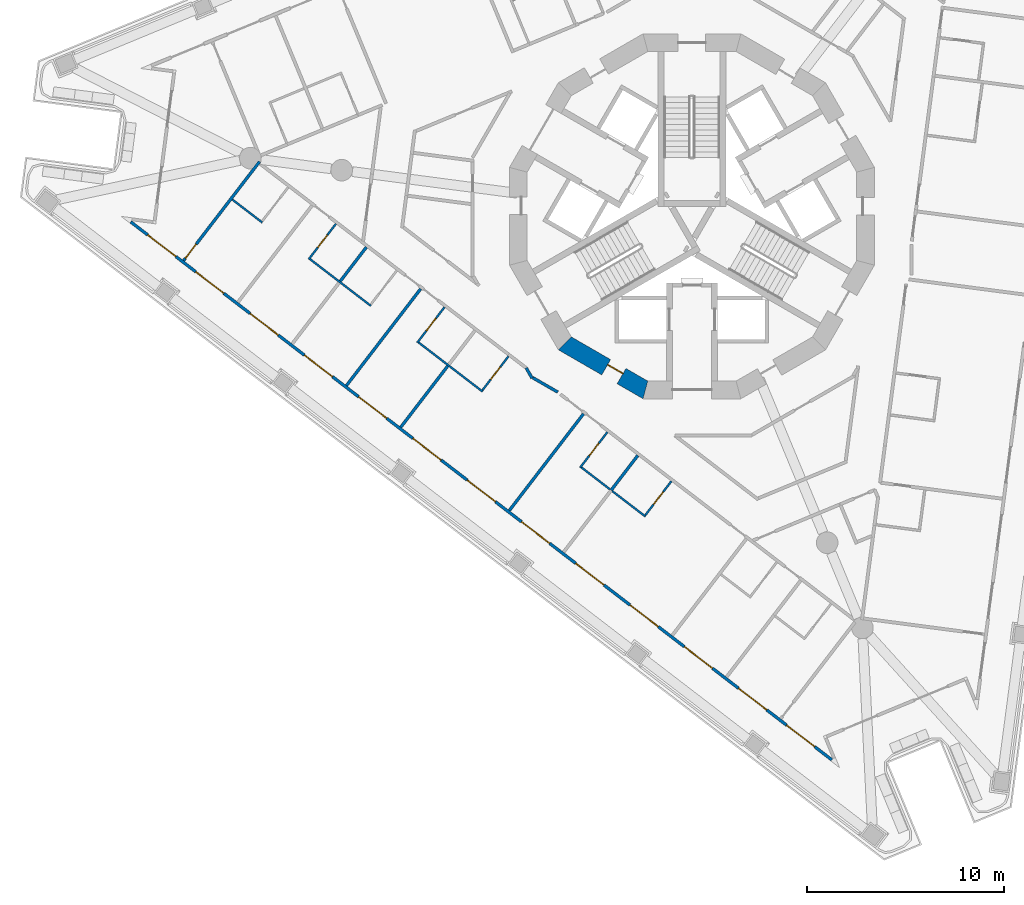
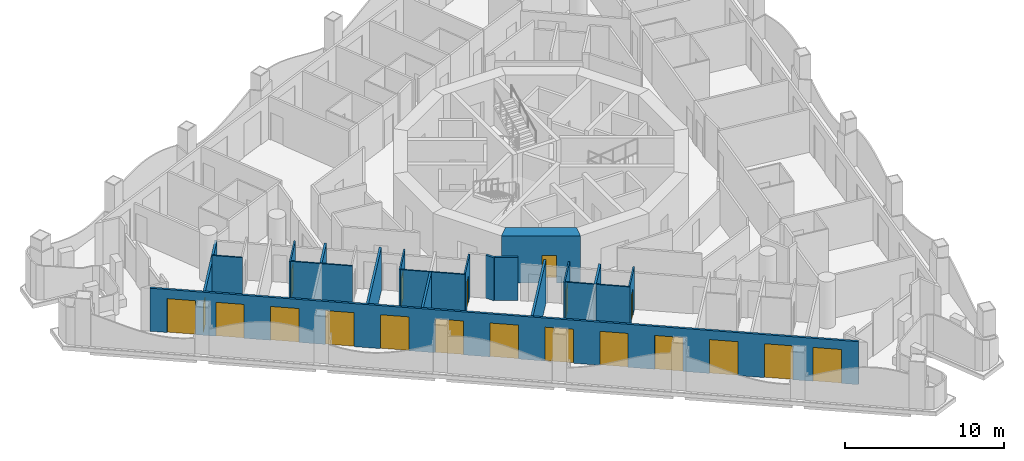
# One storey, part 2 of 17: 20 doors, 20 walls, 20 openings.
"""IFC4 building model written with IfcOpenShell, lengths in metres."""

from ifc_helpers import new_model, si_unit, direction, frame, frame_2d, origin, place, context, subcontext, project, spatial, polyline, rectangle, outline, extrude, material, layer, layer_set, type_object, element, fill, save


model = new_model("IFC4")

# Units and contexts
model_context = context("Model", 3, precision=1e-05, world=origin(), true_north=direction((0.0, 1.0)))
body_context = subcontext(model_context, "Body", "Model", "MODEL_VIEW")
ifc_project = project(units=[si_unit("LENGTHUNIT", "METRE"), si_unit("AREAUNIT", "SQUARE_METRE"), si_unit("VOLUMEUNIT", "CUBIC_METRE"), si_unit("PLANEANGLEUNIT", "RADIAN"), si_unit("MASSUNIT", "GRAM", prefix="KILO")], contexts=[model_context])

# Site, building, storey
site_placement = place(None, origin())
site = spatial("IfcSite", under=ifc_project, at=site_placement, CompositionType="ELEMENT")
building_placement = place(site_placement, origin())
building = spatial("IfcBuilding", under=site, at=building_placement, Name="Trine Commons Tower", CompositionType="ELEMENT")
storey_placement = place(building_placement, frame((0.0, 0.0, 135.0)))
storey = spatial("IfcBuildingStorey", under=building, at=storey_placement, Name="L34", CompositionType="ELEMENT", Elevation=135.0)

# Wall, openings, doors
ifc_material_1 = material(Name="Aluminium-framed insulated wall panel", Category="aluminium")
ifc_layer_1 = layer(ifc_material_1, 0.14990234375)
ifc_layer_set_1 = layer_set([ifc_layer_1], Name="Aluminium-framed insulated wall panel")
wall_type_1 = type_object("IfcWallType", Name="Glazed frame wall 150, EI 60", PredefinedType="SOLIDWALL", material=ifc_layer_set_1)
wall_1_placement = place(storey_placement, frame((87.22509765625, 34.786376953125, 0.0), z_axis=(0.0, 0.0, 1.0), x_axis=(-0.793353605974, 0.608761082764, 0.0)))
wall_1 = element("IfcWall", 1, at=wall_1_placement, inside=storey, type_object=wall_type_1, Name="Glazed frame wall F3", PredefinedType="SOLIDWALL", context=body_context, shape_type="SweptSolid", body=[
    extrude(outline(polyline([(0.1494140625, 0.074951171875), (0.1494140625, -0.074951171875), (45.056884765625, -0.074951171875), (45.056884765625, 0.074951171875), (0.1494140625, 0.074951171875)])), origin(), (0.0, 0.0, 1.0), 3.300048828125),
])
opening_1_placement = place(wall_1_placement, frame((1.23876953125, 0.0, 0.0)))
opening_1 = element("IfcOpeningElement", 2, at=opening_1_placement, cuts=wall_1, Name="Opening BD-4F3-01", PredefinedType="OPENING", context=body_context, shape_type="SweptSolid", body=[
    extrude(rectangle(XDim=1.800048828125, YDim=2.60009765625, at=frame_2d((0.89990234375, 1.300048828125))), frame((0.0, 0.0849609375, 0.0), z_axis=(0.0, -1.0, 0.0), x_axis=(1.0, 0.0, 0.0)), (0.0, 0.0, 1.0), 0.169921875),
])
opening_2_placement = place(wall_1_placement, frame((4.316162109375, 0.0, 0.0)))
opening_2 = element("IfcOpeningElement", 3, at=opening_2_placement, cuts=wall_1, Name="Opening BD-4F3-02", PredefinedType="OPENING", context=body_context, shape_type="SweptSolid", body=[
    extrude(rectangle(XDim=1.800048828125, YDim=2.60009765625, at=frame_2d((0.89990234375, 1.300048828125))), frame((0.0, 0.0849609375, 0.0), z_axis=(0.0, -1.0, 0.0), x_axis=(1.0, 0.0, 0.0)), (0.0, 0.0, 1.0), 0.169921875),
])
opening_3_placement = place(wall_1_placement, frame((7.79345703125, 0.0, 0.0)))
opening_3 = element("IfcOpeningElement", 4, at=opening_3_placement, cuts=wall_1, Name="Opening BD-4F3-03", PredefinedType="OPENING", context=body_context, shape_type="SweptSolid", body=[
    extrude(rectangle(XDim=1.800048828125, YDim=2.60009765625, at=frame_2d((0.89990234375, 1.300048828125))), frame((0.0, 0.0849609375, 0.0), z_axis=(0.0, -1.0, 0.0), x_axis=(1.0, 0.0, 0.0)), (0.0, 0.0, 1.0), 0.169921875),
])
opening_4_placement = place(wall_1_placement, frame((11.27099609375, 0.0, 0.0)))
opening_4 = element("IfcOpeningElement", 5, at=opening_4_placement, cuts=wall_1, Name="Opening BD-4F3-04", PredefinedType="OPENING", context=body_context, shape_type="SweptSolid", body=[
    extrude(rectangle(XDim=1.800048828125, YDim=2.60009765625, at=frame_2d((0.89990234375, 1.300048828125))), frame((0.0, 0.0849609375, 0.0), z_axis=(0.0, -1.0, 0.0), x_axis=(1.0, 0.0, 0.0)), (0.0, 0.0, 1.0), 0.169921875),
])
opening_5_placement = place(wall_1_placement, frame((14.748291015625, 0.0, 0.0)))
opening_5 = element("IfcOpeningElement", 6, at=opening_5_placement, cuts=wall_1, Name="Opening BD-4F3-05", PredefinedType="OPENING", context=body_context, shape_type="SweptSolid", body=[
    extrude(rectangle(XDim=1.800048828125, YDim=2.60009765625, at=frame_2d((0.89990234375, 1.300048828125))), frame((0.0, 0.0849609375, 0.0), z_axis=(0.0, -1.0, 0.0), x_axis=(1.0, 0.0, 0.0)), (0.0, 0.0, 1.0), 0.169921875),
])
opening_6_placement = place(wall_1_placement, frame((18.2255859375, 0.0, 0.0)))
opening_6 = element("IfcOpeningElement", 7, at=opening_6_placement, cuts=wall_1, Name="Opening BD-4F3-06", PredefinedType="OPENING", context=body_context, shape_type="SweptSolid", body=[
    extrude(rectangle(XDim=1.800048828125, YDim=2.60009765625, at=frame_2d((0.89990234375, 1.300048828125))), frame((0.0, 0.0849609375, 0.0), z_axis=(0.0, -1.0, 0.0), x_axis=(1.0, 0.0, 0.0)), (0.0, 0.0, 1.0), 0.169921875),
])
opening_7_placement = place(wall_1_placement, frame((21.703125, 0.0, 0.0)))
opening_7 = element("IfcOpeningElement", 8, at=opening_7_placement, cuts=wall_1, Name="Opening BD-4F3-07", PredefinedType="OPENING", context=body_context, shape_type="SweptSolid", body=[
    extrude(rectangle(XDim=1.800048828125, YDim=2.60009765625, at=frame_2d((0.89990234375, 1.300048828125))), frame((0.0, 0.0849609375, 0.0), z_axis=(0.0, -1.0, 0.0), x_axis=(1.0, 0.0, 0.0)), (0.0, 0.0, 1.0), 0.169921875),
])
opening_8_placement = place(wall_1_placement, frame((25.180419921875, 0.0, 0.0)))
opening_8 = element("IfcOpeningElement", 9, at=opening_8_placement, cuts=wall_1, Name="Opening BD-4F3-08", PredefinedType="OPENING", context=body_context, shape_type="SweptSolid", body=[
    extrude(rectangle(XDim=1.800048828125, YDim=2.60009765625, at=frame_2d((0.89990234375, 1.300048828125))), frame((0.0, 0.0849609375, 0.0), z_axis=(0.0, -1.0, 0.0), x_axis=(1.0, 0.0, 0.0)), (0.0, 0.0, 1.0), 0.169921875),
])
opening_9_placement = place(wall_1_placement, frame((28.657958984375, 0.0, 0.0)))
opening_9 = element("IfcOpeningElement", 10, at=opening_9_placement, cuts=wall_1, Name="Opening BD-4F3-09", PredefinedType="OPENING", context=body_context, shape_type="SweptSolid", body=[
    extrude(rectangle(XDim=1.800048828125, YDim=2.60009765625, at=frame_2d((0.89990234375, 1.300048828125))), frame((0.0, 0.0849609375, 0.0), z_axis=(0.0, -1.0, 0.0), x_axis=(1.0, 0.0, 0.0)), (0.0, 0.0, 1.0), 0.169921875),
])
opening_10_placement = place(wall_1_placement, frame((32.13525390625, 0.0, 0.0)))
opening_10 = element("IfcOpeningElement", 11, at=opening_10_placement, cuts=wall_1, Name="Opening BD-4F3-10", PredefinedType="OPENING", context=body_context, shape_type="SweptSolid", body=[
    extrude(rectangle(XDim=1.800048828125, YDim=2.60009765625, at=frame_2d((0.89990234375, 1.300048828125))), frame((0.0, 0.0849609375, 0.0), z_axis=(0.0, -1.0, 0.0), x_axis=(1.0, 0.0, 0.0)), (0.0, 0.0, 1.0), 0.169921875),
])
opening_11_placement = place(wall_1_placement, frame((35.61279296875, 0.0, 0.0)))
opening_11 = element("IfcOpeningElement", 12, at=opening_11_placement, cuts=wall_1, Name="Opening BD-4F3-11", PredefinedType="OPENING", context=body_context, shape_type="SweptSolid", body=[
    extrude(rectangle(XDim=1.800048828125, YDim=2.60009765625, at=frame_2d((0.89990234375, 1.300048828125))), frame((0.0, 0.0849609375, 0.0), z_axis=(0.0, -1.0, 0.0), x_axis=(1.0, 0.0, 0.0)), (0.0, 0.0, 1.0), 0.169921875),
])
opening_12_placement = place(wall_1_placement, frame((39.090087890625, 0.0, 0.0)))
opening_12 = element("IfcOpeningElement", 13, at=opening_12_placement, cuts=wall_1, Name="Opening BD-4F3-12", PredefinedType="OPENING", context=body_context, shape_type="SweptSolid", body=[
    extrude(rectangle(XDim=1.800048828125, YDim=2.60009765625, at=frame_2d((0.89990234375, 1.300048828125))), frame((0.0, 0.0849609375, 0.0), z_axis=(0.0, -1.0, 0.0), x_axis=(1.0, 0.0, 0.0)), (0.0, 0.0, 1.0), 0.169921875),
])
opening_13_placement = place(wall_1_placement, frame((42.16748046875, 0.0, 0.0)))
opening_13 = element("IfcOpeningElement", 14, at=opening_13_placement, cuts=wall_1, Name="Opening BD-4F3-13", PredefinedType="OPENING", context=body_context, shape_type="SweptSolid", body=[
    extrude(rectangle(XDim=1.800048828125, YDim=2.60009765625, at=frame_2d((0.89990234375, 1.300048828125))), frame((0.0, 0.0849609375, 0.0), z_axis=(0.0, -1.0, 0.0), x_axis=(1.0, 0.0, 0.0)), (0.0, 0.0, 1.0), 0.169921875),
])
ifc_material_2 = material(Name="Anodised aluminium frame with double glazing", Category="aluminium")
door_type_1 = type_object("IfcDoorType", Name="Sliding loggia door 1800x2600", OperationType="SLIDING_TO_LEFT", PredefinedType="DOOR", material=ifc_material_2)
door_1_placement = place(opening_1_placement, origin())
door_1 = element("IfcDoor", 15, at=door_1_placement, inside=storey, type_object=door_type_1, Name="Loggia door F3 1", OperationType="SLIDING_TO_LEFT", OverallHeight=2.60009765625, OverallWidth=1.800048828125, PredefinedType="DOOR", context=body_context, shape_type="SweptSolid", body=[
    extrude(rectangle(XDim=1.800048828125, YDim=2.60009765625, at=frame_2d((0.89990234375, 1.300048828125))), frame((0.0, 0.02490234375, 0.0), z_axis=(0.0, -1.0, 0.0), x_axis=(1.0, 0.0, 0.0)), (0.0, 0.0, 1.0), 0.050048828125),
])
fill(opening_1, door_1)
door_2_placement = place(opening_2_placement, origin())
door_2 = element("IfcDoor", 16, at=door_2_placement, inside=storey, type_object=door_type_1, Name="Loggia door F3 2", OperationType="SLIDING_TO_LEFT", OverallHeight=2.60009765625, OverallWidth=1.800048828125, PredefinedType="DOOR", context=body_context, shape_type="SweptSolid", body=[
    extrude(rectangle(XDim=1.800048828125, YDim=2.60009765625, at=frame_2d((0.89990234375, 1.300048828125))), frame((0.0, 0.02490234375, 0.0), z_axis=(0.0, -1.0, 0.0), x_axis=(1.0, 0.0, 0.0)), (0.0, 0.0, 1.0), 0.050048828125),
])
fill(opening_2, door_2)
door_3_placement = place(opening_3_placement, origin())
door_3 = element("IfcDoor", 17, at=door_3_placement, inside=storey, type_object=door_type_1, Name="Loggia door F3 3", OperationType="SLIDING_TO_LEFT", OverallHeight=2.60009765625, OverallWidth=1.800048828125, PredefinedType="DOOR", context=body_context, shape_type="SweptSolid", body=[
    extrude(rectangle(XDim=1.800048828125, YDim=2.60009765625, at=frame_2d((0.89990234375, 1.300048828125))), frame((0.0, 0.02490234375, 0.0), z_axis=(0.0, -1.0, 0.0), x_axis=(1.0, 0.0, 0.0)), (0.0, 0.0, 1.0), 0.050048828125),
])
fill(opening_3, door_3)
door_4_placement = place(opening_4_placement, origin())
door_4 = element("IfcDoor", 18, at=door_4_placement, inside=storey, type_object=door_type_1, Name="Loggia door F3 4", OperationType="SLIDING_TO_LEFT", OverallHeight=2.60009765625, OverallWidth=1.800048828125, PredefinedType="DOOR", context=body_context, shape_type="SweptSolid", body=[
    extrude(rectangle(XDim=1.800048828125, YDim=2.60009765625, at=frame_2d((0.89990234375, 1.300048828125))), frame((0.0, 0.02490234375, 0.0), z_axis=(0.0, -1.0, 0.0), x_axis=(1.0, 0.0, 0.0)), (0.0, 0.0, 1.0), 0.050048828125),
])
fill(opening_4, door_4)
door_5_placement = place(opening_5_placement, origin())
door_5 = element("IfcDoor", 19, at=door_5_placement, inside=storey, type_object=door_type_1, Name="Loggia door F3 5", OperationType="SLIDING_TO_LEFT", OverallHeight=2.60009765625, OverallWidth=1.800048828125, PredefinedType="DOOR", context=body_context, shape_type="SweptSolid", body=[
    extrude(rectangle(XDim=1.800048828125, YDim=2.60009765625, at=frame_2d((0.89990234375, 1.300048828125))), frame((0.0, 0.02490234375, 0.0), z_axis=(0.0, -1.0, 0.0), x_axis=(1.0, 0.0, 0.0)), (0.0, 0.0, 1.0), 0.050048828125),
])
fill(opening_5, door_5)
door_6_placement = place(opening_6_placement, origin())
door_6 = element("IfcDoor", 20, at=door_6_placement, inside=storey, type_object=door_type_1, Name="Loggia door F3 6", OperationType="SLIDING_TO_LEFT", OverallHeight=2.60009765625, OverallWidth=1.800048828125, PredefinedType="DOOR", context=body_context, shape_type="SweptSolid", body=[
    extrude(rectangle(XDim=1.800048828125, YDim=2.60009765625, at=frame_2d((0.89990234375, 1.300048828125))), frame((0.0, 0.02490234375, 0.0), z_axis=(0.0, -1.0, 0.0), x_axis=(1.0, 0.0, 0.0)), (0.0, 0.0, 1.0), 0.050048828125),
])
fill(opening_6, door_6)
door_7_placement = place(opening_7_placement, origin())
door_7 = element("IfcDoor", 21, at=door_7_placement, inside=storey, type_object=door_type_1, Name="Loggia door F3 7", OperationType="SLIDING_TO_LEFT", OverallHeight=2.60009765625, OverallWidth=1.800048828125, PredefinedType="DOOR", context=body_context, shape_type="SweptSolid", body=[
    extrude(rectangle(XDim=1.800048828125, YDim=2.60009765625, at=frame_2d((0.89990234375, 1.300048828125))), frame((0.0, 0.02490234375, 0.0), z_axis=(0.0, -1.0, 0.0), x_axis=(1.0, 0.0, 0.0)), (0.0, 0.0, 1.0), 0.050048828125),
])
fill(opening_7, door_7)
door_8_placement = place(opening_8_placement, origin())
door_8 = element("IfcDoor", 22, at=door_8_placement, inside=storey, type_object=door_type_1, Name="Loggia door F3 8", OperationType="SLIDING_TO_LEFT", OverallHeight=2.60009765625, OverallWidth=1.800048828125, PredefinedType="DOOR", context=body_context, shape_type="SweptSolid", body=[
    extrude(rectangle(XDim=1.800048828125, YDim=2.60009765625, at=frame_2d((0.89990234375, 1.300048828125))), frame((0.0, 0.02490234375, 0.0), z_axis=(0.0, -1.0, 0.0), x_axis=(1.0, 0.0, 0.0)), (0.0, 0.0, 1.0), 0.050048828125),
])
fill(opening_8, door_8)
door_9_placement = place(opening_9_placement, origin())
door_9 = element("IfcDoor", 23, at=door_9_placement, inside=storey, type_object=door_type_1, Name="Loggia door F3 9", OperationType="SLIDING_TO_LEFT", OverallHeight=2.60009765625, OverallWidth=1.800048828125, PredefinedType="DOOR", context=body_context, shape_type="SweptSolid", body=[
    extrude(rectangle(XDim=1.800048828125, YDim=2.60009765625, at=frame_2d((0.89990234375, 1.300048828125))), frame((0.0, 0.02490234375, 0.0), z_axis=(0.0, -1.0, 0.0), x_axis=(1.0, 0.0, 0.0)), (0.0, 0.0, 1.0), 0.050048828125),
])
fill(opening_9, door_9)
door_10_placement = place(opening_10_placement, origin())
door_10 = element("IfcDoor", 24, at=door_10_placement, inside=storey, type_object=door_type_1, Name="Loggia door F3 10", OperationType="SLIDING_TO_LEFT", OverallHeight=2.60009765625, OverallWidth=1.800048828125, PredefinedType="DOOR", context=body_context, shape_type="SweptSolid", body=[
    extrude(rectangle(XDim=1.800048828125, YDim=2.60009765625, at=frame_2d((0.89990234375, 1.300048828125))), frame((0.0, 0.02490234375, 0.0), z_axis=(0.0, -1.0, 0.0), x_axis=(1.0, 0.0, 0.0)), (0.0, 0.0, 1.0), 0.050048828125),
])
fill(opening_10, door_10)
door_11_placement = place(opening_11_placement, origin())
door_11 = element("IfcDoor", 25, at=door_11_placement, inside=storey, type_object=door_type_1, Name="Loggia door F3 11", OperationType="SLIDING_TO_LEFT", OverallHeight=2.60009765625, OverallWidth=1.800048828125, PredefinedType="DOOR", context=body_context, shape_type="SweptSolid", body=[
    extrude(rectangle(XDim=1.800048828125, YDim=2.60009765625, at=frame_2d((0.89990234375, 1.300048828125))), frame((0.0, 0.02490234375, 0.0), z_axis=(0.0, -1.0, 0.0), x_axis=(1.0, 0.0, 0.0)), (0.0, 0.0, 1.0), 0.050048828125),
])
fill(opening_11, door_11)
door_12_placement = place(opening_12_placement, origin())
door_12 = element("IfcDoor", 26, at=door_12_placement, inside=storey, type_object=door_type_1, Name="Loggia door F3 12", OperationType="SLIDING_TO_LEFT", OverallHeight=2.60009765625, OverallWidth=1.800048828125, PredefinedType="DOOR", context=body_context, shape_type="SweptSolid", body=[
    extrude(rectangle(XDim=1.800048828125, YDim=2.60009765625, at=frame_2d((0.89990234375, 1.300048828125))), frame((0.0, 0.02490234375, 0.0), z_axis=(0.0, -1.0, 0.0), x_axis=(1.0, 0.0, 0.0)), (0.0, 0.0, 1.0), 0.050048828125),
])
fill(opening_12, door_12)
door_13_placement = place(opening_13_placement, origin())
door_13 = element("IfcDoor", 27, at=door_13_placement, inside=storey, type_object=door_type_1, Name="Loggia door F3 13", OperationType="SLIDING_TO_LEFT", OverallHeight=2.60009765625, OverallWidth=1.800048828125, PredefinedType="DOOR", context=body_context, shape_type="SweptSolid", body=[
    extrude(rectangle(XDim=1.800048828125, YDim=2.60009765625, at=frame_2d((0.89990234375, 1.300048828125))), frame((0.0, 0.02490234375, 0.0), z_axis=(0.0, -1.0, 0.0), x_axis=(1.0, 0.0, 0.0)), (0.0, 0.0, 1.0), 0.050048828125),
])
fill(opening_13, door_13)

# Wall, opening, door
ifc_material_3 = material(Name="Concrete C70/85", Category="concrete")
ifc_layer_2 = layer(ifc_material_3, 0.89990234375)
ifc_layer_set_2 = layer_set([ifc_layer_2], Name="Concrete C70/85")
wall_type_2 = type_object("IfcWallType", Name="RC shear wall 900 mm, C70/85", PredefinedType="SHEAR", material=ifc_layer_set_2)
wall_2_placement = place(storey_placement, frame((73.436767578125, 56.1015625, 0.0), z_axis=(0.0, 0.0, 1.0), x_axis=(0.866003133579, -0.500038571144, 0.0)))
wall_2 = element("IfcWall", 28, at=wall_2_placement, inside=storey, type_object=wall_type_2, Name="Core wall CWD-09 L34", PredefinedType="SHEAR", context=body_context, shape_type="SweptSolid", body=[
    extrude(outline(polyline([(0.0, -0.449951171875), (4.96923828125, -0.449951171875), (4.72802734375, 0.449951171875), (0.2412109375, 0.449951171875), (0.0, -0.449951171875)])), origin(), (0.0, 0.0, 1.0), 3.60009765625),
])
opening_14_placement = place(wall_2_placement, frame((2.5458984375, 0.0, 0.0)))
opening_14 = element("IfcOpeningElement", 29, at=opening_14_placement, cuts=wall_2, Name="Opening K09.14", PredefinedType="OPENING", context=body_context, shape_type="SweptSolid", body=[
    extrude(rectangle(XDim=0.89990234375, YDim=2.10009765625, at=frame_2d((0.449951171875, 1.050048828125))), frame((0.0, 0.4599609375, 0.0), z_axis=(0.0, -1.0, 0.0), x_axis=(1.0, 0.0, 0.0)), (0.0, 0.0, 1.0), 0.919921875),
])
ifc_material_4 = material(Name="Steel door leaf, fire-rated", Category="steel")
door_type_2 = type_object("IfcDoorType", Name="Core room door, single leaf 900 x 2100, FD30S", OperationType="SINGLE_SWING_LEFT", PredefinedType="DOOR", material=ifc_material_4)
door_14_placement = place(opening_14_placement, origin())
door_14 = element("IfcDoor", 30, at=door_14_placement, inside=storey, type_object=door_type_2, Name="Door to Core WC L34", OperationType="SINGLE_SWING_RIGHT", OverallHeight=2.10009765625, OverallWidth=0.89990234375, PredefinedType="DOOR", context=body_context, shape_type="SweptSolid", body=[
    extrude(rectangle(XDim=0.89990234375, YDim=2.10009765625, at=frame_2d((0.449951171875, 1.050048828125))), frame((0.0, 0.1748046875, 0.0), z_axis=(0.0, -1.0, 0.0), x_axis=(1.0, 0.0, 0.0)), (0.0, 0.0, 1.0), 0.050048828125),
])
fill(opening_14, door_14)

ifc_material_5 = material(Name="Gypsum plasterboard on steel stud", Category="steel")
ifc_layer_3 = layer(ifc_material_5, 0.14990234375)
ifc_layer_set_3 = layer_set([ifc_layer_3], Name="Gypsum plasterboard on steel stud")
wall_type_3 = type_object("IfcWallType", Name="Unit and corridor wall 150 mm, EI 60", PredefinedType="PARTITIONING", material=ifc_layer_set_3)
wall_3_placement = place(storey_placement, frame((54.165283203125, 60.248779296875, 0.0), z_axis=(0.0, 0.0, 1.0), x_axis=(0.608817658648, 0.793310190605, 0.0)))
wall_3 = element("IfcWall", 31, at=wall_3_placement, inside=storey, type_object=wall_type_3, Name="Partition 001", PredefinedType="PARTITIONING", context=body_context, shape_type="SweptSolid", body=[
    extrude(rectangle(XDim=6.343994140625, YDim=0.14990234375, at=frame_2d((3.171875, 0.0))), origin(), (0.0, 0.0, 1.0), 2.800048828125),
])
opening_15_placement = place(wall_3_placement, frame((0.14990234375, 0.0, 0.0)))
opening_15 = element("IfcOpeningElement", 32, at=opening_15_placement, cuts=wall_3, Name="Opening D-4B28", PredefinedType="OPENING", context=body_context, shape_type="SweptSolid", body=[
    extrude(rectangle(XDim=0.89990234375, YDim=2.10009765625, at=frame_2d((0.449951171875, 1.050048828125))), frame((0.0, 0.0849609375, 0.0), z_axis=(0.0, -1.0, 0.0), x_axis=(1.0, 0.0, 0.0)), (0.0, 0.0, 1.0), 0.169921875),
])
ifc_material_6 = material(Name="Timber fire door set", Category="wood")
door_type_3 = type_object("IfcDoorType", Name="Bedroom door 900 x 2100, FD30S", OperationType="NOTDEFINED", PredefinedType="DOOR", material=ifc_material_6)
door_15_placement = place(opening_15_placement, frame((0.89990234375, 0.0, 0.0), z_axis=(0.0, 0.0, 1.0), x_axis=(-1.0, 0.0, 0.0)))
door_15 = element("IfcDoor", 33, at=door_15_placement, inside=storey, type_object=door_type_3, Name="Door D-4B28", OperationType="SINGLE_SWING_RIGHT", OverallHeight=2.10009765625, OverallWidth=0.89990234375, PredefinedType="DOOR", context=body_context, shape_type="SweptSolid", body=[
    extrude(rectangle(XDim=0.89990234375, YDim=2.10009765625, at=frame_2d((0.449951171875, 1.050048828125))), frame((0.0, 0.02490234375, 0.0), z_axis=(0.0, -1.0, 0.0), x_axis=(1.0, 0.0, 0.0)), (0.0, 0.0, 1.0), 0.050048828125),
])
fill(opening_15, door_15)

# Walls
wall_4_placement = place(storey_placement, frame((62.12939453125, 59.20361328125, 0.0), z_axis=(0.0, 0.0, 1.0), x_axis=(0.608674216197, 0.79342025342, 0.0)))
element("IfcWall", 34, at=wall_4_placement, inside=storey, type_object=wall_type_3, Name="Partition 018", PredefinedType="PARTITIONING", context=body_context, shape_type="SweptSolid", body=[
    extrude(rectangle(XDim=2.17529296875, YDim=0.14990234375, at=frame_2d((1.087646484375, 0.0))), origin(), (0.0, 0.0, 1.0), 3.300048828125),
])
wall_5_placement = place(storey_placement, frame((62.44140625, 53.897705078125, 0.0), z_axis=(0.0, 0.0, 1.0), x_axis=(0.608735145032, 0.793373508004, 0.0)))
element("IfcWall", 35, at=wall_5_placement, inside=storey, type_object=wall_type_3, Name="Partition 020", PredefinedType="PARTITIONING", context=body_context, shape_type="SweptSolid", body=[
    extrude(rectangle(XDim=6.19482421875, YDim=0.14990234375, at=frame_2d((3.097412109375, 0.0))), origin(), (0.0, 0.0, 1.0), 3.300048828125),
])
wall_6_placement = place(storey_placement, frame((65.200439453125, 51.78076171875, 0.0), z_axis=(0.0, 0.0, 1.0), x_axis=(0.608783231907, 0.793336609863, 0.0)))
element("IfcWall", 36, at=wall_6_placement, inside=storey, type_object=wall_type_3, Name="Partition 026", PredefinedType="PARTITIONING", context=body_context, shape_type="SweptSolid", body=[
    extrude(rectangle(XDim=3.919677734375, YDim=0.14990234375, at=frame_2d((1.9599609375, 0.0))), origin(), (0.0, 0.0, 1.0), 3.300048828125),
])
wall_7_placement = place(storey_placement, frame((70.71826171875, 47.547607421875, 0.0), z_axis=(0.0, 0.0, 1.0), x_axis=(0.608712047114, 0.79339122991, 0.0)))
element("IfcWall", 37, at=wall_7_placement, inside=storey, type_object=wall_type_3, Name="Partition 042", PredefinedType="PARTITIONING", context=body_context, shape_type="SweptSolid", body=[
    extrude(rectangle(XDim=6.193359375, YDim=0.14990234375, at=frame_2d((3.0966796875, 0.0))), origin(), (0.0, 0.0, 1.0), 3.300048828125),
])
wall_8_placement = place(storey_placement, frame((71.575927734375, 54.794921875, 0.0), z_axis=(0.0, 0.0, 1.0), x_axis=(0.499675599625, -0.866212615435, 0.0)))
element("IfcWall", 38, at=wall_8_placement, inside=storey, type_object=wall_type_3, Name="Partition 047", PredefinedType="PARTITIONING", context=body_context, shape_type="SweptSolid", body=[
    extrude(rectangle(XDim=0.6015625, YDim=0.14990234375, at=frame_2d((0.30078125, 0.0))), origin(), (0.0, 0.0, 1.0), 3.300048828125),
])
wall_9_placement = place(storey_placement, frame((71.904052734375, 54.301513671875, 0.0), z_axis=(0.0, 0.0, 1.0), x_axis=(0.866086395302, -0.499894344709, 0.0)))
element("IfcWall", 39, at=wall_9_placement, inside=storey, type_object=wall_type_3, Name="Partition 050", PredefinedType="PARTITIONING", context=body_context, shape_type="SweptSolid", body=[
    extrude(rectangle(XDim=1.475341796875, YDim=0.14990234375, at=frame_2d((0.73779296875, 0.0))), origin(), (0.0, 0.0, 1.0), 3.300048828125),
])
wall_10_placement = place(storey_placement, frame((75.89306640625, 48.5791015625, 0.0), z_axis=(0.0, 0.0, 1.0), x_axis=(0.608654966147, 0.79343502077, 0.0)))
element("IfcWall", 40, at=wall_10_placement, inside=storey, type_object=wall_type_3, Name="Partition 061", PredefinedType="PARTITIONING", context=body_context, shape_type="SweptSolid", body=[
    extrude(rectangle(XDim=2.22509765625, YDim=0.14990234375, at=frame_2d((1.112548828125, 0.0))), origin(), (0.0, 0.0, 1.0), 3.300048828125),
])
ifc_layer_4 = layer(ifc_material_5, 0.10009765625)
ifc_layer_set_4 = layer_set([ifc_layer_4], Name="Gypsum plasterboard on steel stud")
wall_type_4 = type_object("IfcWallType", Name="Unit partition 100 mm, no rating", PredefinedType="PARTITIONING", material=ifc_layer_set_4)
wall_11_placement = place(storey_placement, frame((56.640380859375, 63.352294921875, 0.0), z_axis=(0.0, 0.0, 1.0), x_axis=(0.793438942522, -0.608649853766, 0.0)))
element("IfcWall", 41, at=wall_11_placement, inside=storey, type_object=wall_type_4, Name="Partition 003", PredefinedType="PARTITIONING", context=body_context, shape_type="SweptSolid", body=[
    extrude(rectangle(XDim=1.925048828125, YDim=0.10009765625, at=frame_2d((0.96240234375, 0.0))), origin(), (0.0, 0.0, 1.0), 3.300048828125),
])

# Wall, opening, door
wall_12_placement = place(storey_placement, frame((60.521484375, 60.311279296875, 0.0), z_axis=(0.0, 0.0, 1.0), x_axis=(0.608719842686, 0.793385248867, 0.0)))
wall_12 = element("IfcWall", 42, at=wall_12_placement, inside=storey, type_object=wall_type_4, Name="Partition 014", PredefinedType="PARTITIONING", context=body_context, shape_type="SweptSolid", body=[
    extrude(rectangle(XDim=2.275390625, YDim=0.10009765625, at=frame_2d((1.1376953125, 0.0))), origin(), (0.0, 0.0, 1.0), 3.300048828125),
])
opening_16_placement = place(wall_12_placement, frame((0.762451171875, 0.0, 0.0)))
opening_16 = element("IfcOpeningElement", 43, at=opening_16_placement, cuts=wall_12, Name="Opening D-4B57", PredefinedType="OPENING", context=body_context, shape_type="SweptSolid", body=[
    extrude(rectangle(XDim=0.800048828125, YDim=2.10009765625, at=frame_2d((0.39990234375, 1.050048828125))), frame((0.0, 0.06005859375, 0.0), z_axis=(0.0, -1.0, 0.0), x_axis=(1.0, 0.0, 0.0)), (0.0, 0.0, 1.0), 0.1201171875),
])
ifc_material_7 = material(Name="Painted timber", Category="wood")
door_type_4 = type_object("IfcDoorType", Name="Internal door 800 x 2100, NOT RATED", OperationType="NOTDEFINED", PredefinedType="DOOR", material=ifc_material_7)
door_16_placement = place(opening_16_placement, origin())
door_16 = element("IfcDoor", 44, at=door_16_placement, inside=storey, type_object=door_type_4, Name="Door D-4B57", OperationType="SINGLE_SWING_RIGHT", OverallHeight=2.10009765625, OverallWidth=0.800048828125, PredefinedType="DOOR", context=body_context, shape_type="SweptSolid", body=[
    extrude(rectangle(XDim=0.800048828125, YDim=2.10009765625, at=frame_2d((0.39990234375, 1.050048828125))), frame((0.0, 0.02490234375, 0.0), z_axis=(0.0, -1.0, 0.0), x_axis=(1.0, 0.0, 0.0)), (0.0, 0.0, 1.0), 0.050048828125),
])
fill(opening_16, door_16)

# Wall
wall_13_placement = place(storey_placement, frame((60.591796875, 60.320556640625, 0.0), z_axis=(0.0, 0.0, 1.0), x_axis=(0.793363466367, -0.608748232222, 0.0)))
element("IfcWall", 45, at=wall_13_placement, inside=storey, type_object=wall_type_4, Name="Partition 015", PredefinedType="PARTITIONING", context=body_context, shape_type="SweptSolid", body=[
    extrude(rectangle(XDim=3.89990234375, YDim=0.10009765625, at=frame_2d((1.949951171875, 0.0))), origin(), (0.0, 0.0, 1.0), 3.300048828125),
])

# Wall, opening, door
wall_14_placement = place(storey_placement, frame((66.03955078125, 56.077392578125, 0.0), z_axis=(0.0, 0.0, 1.0), x_axis=(0.608652294224, 0.793437070432, 0.0)))
wall_14 = element("IfcWall", 46, at=wall_14_placement, inside=storey, type_object=wall_type_4, Name="Partition 034", PredefinedType="PARTITIONING", context=body_context, shape_type="SweptSolid", body=[
    extrude(rectangle(XDim=2.275146484375, YDim=0.10009765625, at=frame_2d((1.1376953125, 0.0))), origin(), (0.0, 0.0, 1.0), 3.300048828125),
])
opening_17_placement = place(wall_14_placement, frame((0.762451171875, 0.0, 0.0)))
opening_17 = element("IfcOpeningElement", 47, at=opening_17_placement, cuts=wall_14, Name="Opening D-4B55", PredefinedType="OPENING", context=body_context, shape_type="SweptSolid", body=[
    extrude(rectangle(XDim=0.800048828125, YDim=2.10009765625, at=frame_2d((0.39990234375, 1.050048828125))), frame((0.0, 0.06005859375, 0.0), z_axis=(0.0, -1.0, 0.0), x_axis=(1.0, 0.0, 0.0)), (0.0, 0.0, 1.0), 0.1201171875),
])
door_17_placement = place(opening_17_placement, origin())
door_17 = element("IfcDoor", 48, at=door_17_placement, inside=storey, type_object=door_type_4, Name="Door D-4B55", OperationType="SINGLE_SWING_RIGHT", OverallHeight=2.10009765625, OverallWidth=0.800048828125, PredefinedType="DOOR", context=body_context, shape_type="SweptSolid", body=[
    extrude(rectangle(XDim=0.800048828125, YDim=2.10009765625, at=frame_2d((0.39990234375, 1.050048828125))), frame((0.0, 0.02490234375, 0.0), z_axis=(0.0, -1.0, 0.0), x_axis=(1.0, 0.0, 0.0)), (0.0, 0.0, 1.0), 0.050048828125),
])
fill(opening_17, door_17)

# Wall
wall_15_placement = place(storey_placement, frame((66.109619140625, 56.086669921875, 0.0), z_axis=(0.0, 0.0, 1.0), x_axis=(0.793283238718, -0.608852776267, 0.0)))
element("IfcWall", 49, at=wall_15_placement, inside=storey, type_object=wall_type_4, Name="Partition 035", PredefinedType="PARTITIONING", context=body_context, shape_type="SweptSolid", body=[
    extrude(rectangle(XDim=4.099609375, YDim=0.10009765625, at=frame_2d((2.0498046875, 0.0))), origin(), (0.0, 0.0, 1.0), 3.300048828125),
])

# Wall, opening, door
wall_16_placement = place(storey_placement, frame((69.352294921875, 53.66064453125, 0.0), z_axis=(0.0, 0.0, 1.0), x_axis=(0.608744865415, 0.793366049709, 0.0)))
wall_16 = element("IfcWall", 50, at=wall_16_placement, inside=storey, type_object=wall_type_4, Name="Partition 041", PredefinedType="PARTITIONING", context=body_context, shape_type="SweptSolid", body=[
    extrude(rectangle(XDim=2.17529296875, YDim=0.10009765625, at=frame_2d((1.087646484375, 0.0))), origin(), (0.0, 0.0, 1.0), 3.300048828125),
])
opening_18_placement = place(wall_16_placement, frame((0.6875, 0.0, 0.0)))
opening_18 = element("IfcOpeningElement", 51, at=opening_18_placement, cuts=wall_16, Name="Opening D-4B54", PredefinedType="OPENING", context=body_context, shape_type="SweptSolid", body=[
    extrude(rectangle(XDim=0.800048828125, YDim=2.10009765625, at=frame_2d((0.39990234375, 1.050048828125))), frame((0.0, 0.06005859375, 0.0), z_axis=(0.0, -1.0, 0.0), x_axis=(1.0, 0.0, 0.0)), (0.0, 0.0, 1.0), 0.1201171875),
])
door_18_placement = place(opening_18_placement, frame((0.800048828125, 0.0, 0.0), z_axis=(0.0, 0.0, 1.0), x_axis=(-1.0, 0.0, 0.0)))
door_18 = element("IfcDoor", 52, at=door_18_placement, inside=storey, type_object=door_type_4, Name="Door D-4B54", OperationType="SINGLE_SWING_LEFT", OverallHeight=2.10009765625, OverallWidth=0.800048828125, PredefinedType="DOOR", context=body_context, shape_type="SweptSolid", body=[
    extrude(rectangle(XDim=0.800048828125, YDim=2.10009765625, at=frame_2d((0.39990234375, 1.050048828125))), frame((0.0, 0.02490234375, 0.0), z_axis=(0.0, -1.0, 0.0), x_axis=(1.0, 0.0, 0.0)), (0.0, 0.0, 1.0), 0.050048828125),
])
fill(opening_18, door_18)

wall_17_placement = place(storey_placement, frame((74.315673828125, 49.726318359375, 0.0), z_axis=(0.0, 0.0, 1.0), x_axis=(0.608652294224, 0.793437070432, 0.0)))
wall_17 = element("IfcWall", 53, at=wall_17_placement, inside=storey, type_object=wall_type_4, Name="Partition 055", PredefinedType="PARTITIONING", context=body_context, shape_type="SweptSolid", body=[
    extrude(rectangle(XDim=2.275146484375, YDim=0.10009765625, at=frame_2d((1.1376953125, 0.0))), origin(), (0.0, 0.0, 1.0), 3.300048828125),
])
opening_19_placement = place(wall_17_placement, frame((0.762451171875, 0.0, 0.0)))
opening_19 = element("IfcOpeningElement", 54, at=opening_19_placement, cuts=wall_17, Name="Opening D-4B53", PredefinedType="OPENING", context=body_context, shape_type="SweptSolid", body=[
    extrude(rectangle(XDim=0.800048828125, YDim=2.10009765625, at=frame_2d((0.39990234375, 1.050048828125))), frame((0.0, 0.06005859375, 0.0), z_axis=(0.0, -1.0, 0.0), x_axis=(1.0, 0.0, 0.0)), (0.0, 0.0, 1.0), 0.1201171875),
])
door_19_placement = place(opening_19_placement, origin())
door_19 = element("IfcDoor", 55, at=door_19_placement, inside=storey, type_object=door_type_4, Name="Door D-4B53", OperationType="SINGLE_SWING_RIGHT", OverallHeight=2.10009765625, OverallWidth=0.800048828125, PredefinedType="DOOR", context=body_context, shape_type="SweptSolid", body=[
    extrude(rectangle(XDim=0.800048828125, YDim=2.10009765625, at=frame_2d((0.39990234375, 1.050048828125))), frame((0.0, 0.02490234375, 0.0), z_axis=(0.0, -1.0, 0.0), x_axis=(1.0, 0.0, 0.0)), (0.0, 0.0, 1.0), 0.050048828125),
])
fill(opening_19, door_19)

# Walls
wall_18_placement = place(storey_placement, frame((74.3857421875, 49.735595703125, 0.0), z_axis=(0.0, 0.0, 1.0), x_axis=(0.793369431695, -0.608740457709, 0.0)))
element("IfcWall", 56, at=wall_18_placement, inside=storey, type_object=wall_type_4, Name="Partition 056", PredefinedType="PARTITIONING", context=body_context, shape_type="SweptSolid", body=[
    extrude(rectangle(XDim=1.82470703125, YDim=0.10009765625, at=frame_2d((0.912353515625, 0.0))), origin(), (0.0, 0.0, 1.0), 3.300048828125),
])
wall_19_placement = place(storey_placement, frame((75.952392578125, 48.533447265625, 0.0), z_axis=(0.0, 0.0, 1.0), x_axis=(0.793571224507, -0.608477371506, 0.0)))
element("IfcWall", 57, at=wall_19_placement, inside=storey, type_object=wall_type_4, Name="Partition 062", PredefinedType="PARTITIONING", context=body_context, shape_type="SweptSolid", body=[
    extrude(rectangle(XDim=2.125, YDim=0.10009765625, at=frame_2d((1.0625, 0.0))), origin(), (0.0, 0.0, 1.0), 3.300048828125),
])

# Wall, opening, door
wall_20_placement = place(storey_placement, frame((77.62939453125, 47.310791015625, 0.0), z_axis=(0.0, 0.0, 1.0), x_axis=(0.608945322712, 0.793212199822, 0.0)))
wall_20 = element("IfcWall", 58, at=wall_20_placement, inside=storey, type_object=wall_type_4, Name="Partition 066", PredefinedType="PARTITIONING", context=body_context, shape_type="SweptSolid", body=[
    extrude(rectangle(XDim=2.17431640625, YDim=0.10009765625, at=frame_2d((1.087158203125, 0.0))), origin(), (0.0, 0.0, 1.0), 3.300048828125),
])
opening_20_placement = place(wall_20_placement, frame((0.687255859375, 0.0, 0.0)))
opening_20 = element("IfcOpeningElement", 59, at=opening_20_placement, cuts=wall_20, Name="Opening D-4B52", PredefinedType="OPENING", context=body_context, shape_type="SweptSolid", body=[
    extrude(rectangle(XDim=0.800048828125, YDim=2.10009765625, at=frame_2d((0.39990234375, 1.050048828125))), frame((0.0, 0.06005859375, 0.0), z_axis=(0.0, -1.0, 0.0), x_axis=(1.0, 0.0, 0.0)), (0.0, 0.0, 1.0), 0.1201171875),
])
door_20_placement = place(opening_20_placement, frame((0.800048828125, 0.0, 0.0), z_axis=(0.0, 0.0, 1.0), x_axis=(-1.0, 0.0, 0.0)))
door_20 = element("IfcDoor", 60, at=door_20_placement, inside=storey, type_object=door_type_4, Name="Door D-4B52", OperationType="SINGLE_SWING_LEFT", OverallHeight=2.10009765625, OverallWidth=0.800048828125, PredefinedType="DOOR", context=body_context, shape_type="SweptSolid", body=[
    extrude(rectangle(XDim=0.800048828125, YDim=2.10009765625, at=frame_2d((0.39990234375, 1.050048828125))), frame((0.0, 0.02490234375, 0.0), z_axis=(0.0, -1.0, 0.0), x_axis=(1.0, 0.0, 0.0)), (0.0, 0.0, 1.0), 0.050048828125),
])
fill(opening_20, door_20)

save(model, "model.ifc")
